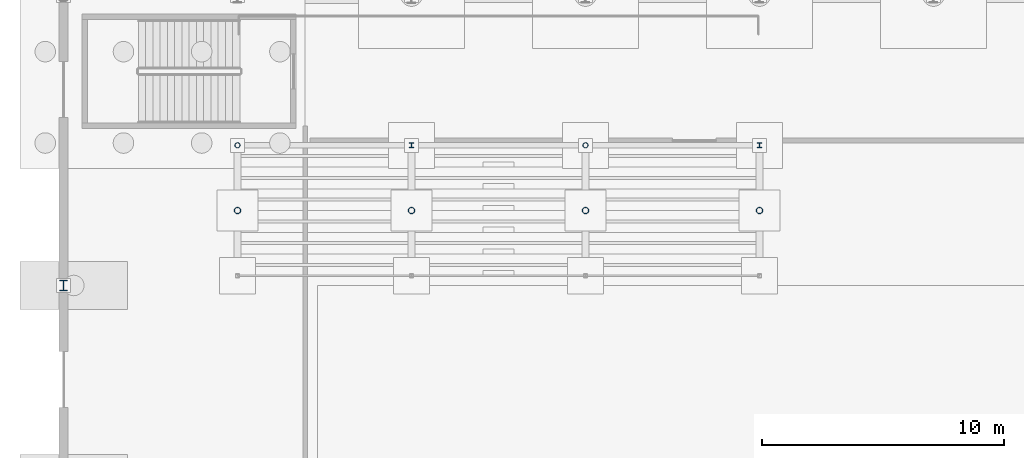
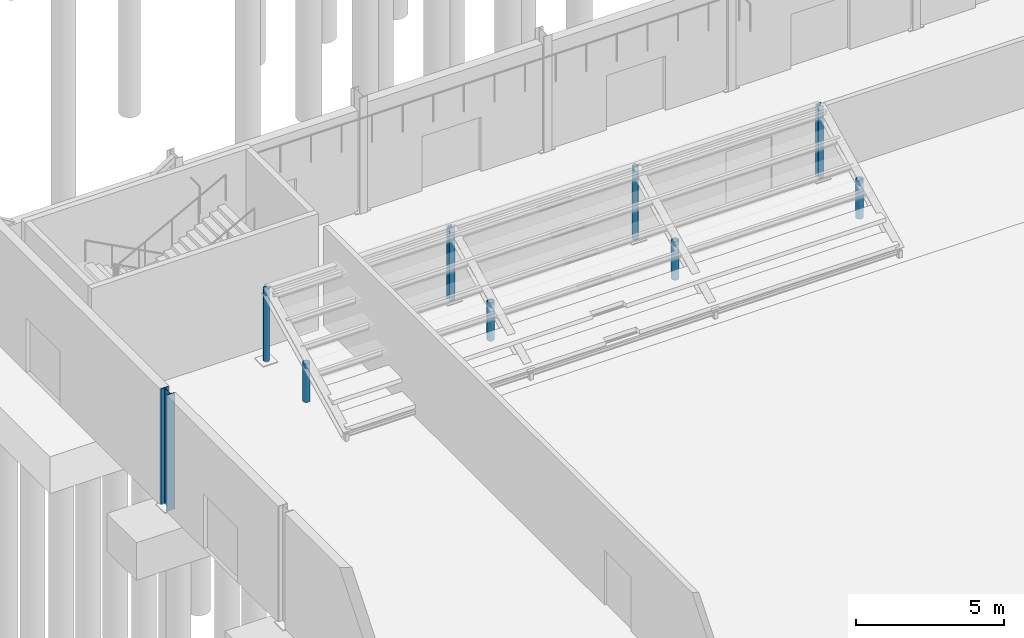
# One storey, part 8 of 101: 9 columns.
"""IFC4 building model written with IfcOpenShell, lengths in metres."""

from ifc_helpers import new_model, si_unit, derived_unit, direction, frame, origin, origin_2d, place, context, subcontext, project, spatial, hollow_circle, i_section, extrude, material, material_profile, profile_set, type_object, element, save


model = new_model("IFC4")

# Units and contexts
model_context = context("Model", 3, precision=1e-05, world=origin(), true_north=direction((0.0, 1.0)))
body_context = subcontext(model_context, "Body", "Model", "MODEL_VIEW")
ifc_project = project(units=[si_unit("LENGTHUNIT", "METRE"), si_unit("AREAUNIT", "SQUARE_METRE"), si_unit("VOLUMEUNIT", "CUBIC_METRE"), si_unit("PLANEANGLEUNIT", "RADIAN"), si_unit("MASSUNIT", "GRAM", prefix="KILO"), derived_unit("THERMALTRANSMITTANCEUNIT", [(si_unit("POWERUNIT", "WATT"), 1), (si_unit("LENGTHUNIT", "METRE"), -2), (si_unit("THERMODYNAMICTEMPERATUREUNIT", "KELVIN"), -1)])], contexts=[model_context])

# Site, building, storey
site_placement = place(None, origin())
site = spatial("IfcSite", under=ifc_project, at=site_placement, CompositionType="ELEMENT")
building_placement = place(site_placement, origin())
building = spatial("IfcBuilding", under=site, at=building_placement, Name="Keldorne Ridge Multi-Sports Centre", CompositionType="ELEMENT")
storey_placement = place(building_placement, origin())
storey = spatial("IfcBuildingStorey", under=building, at=storey_placement, Name="L00", CompositionType="ELEMENT", Elevation=0.0)

# Columns
ifc_material = material(Name="Steel S355", Category="steel")
ifc_material_profile_1 = material_profile(ifc_material, i_section(OverallWidth=0.300048828125, OverallDepth=0.449951171875, WebThickness=0.013916015625, FlangeThickness=0.02587890625, FilletRadius=0.027099609375, at=origin_2d()), Name="HEB 450")
ifc_profile_set_1 = profile_set([ifc_material_profile_1], Name="Steel S355")
column_type_1 = type_object("IfcColumnType", Name="COL-C-06", PredefinedType="COLUMN", material=ifc_profile_set_1)
column_placement = place(storey_placement, frame((6.0, 42.0, 0.0), z_axis=(0.0, 0.0, 1.0), x_axis=(1.0, 0.0, 0.0)))
element("IfcColumn", 1, at=column_placement, inside=storey, type_object=column_type_1, Name="Structural column V1-GABLE-W-04 on L00", PredefinedType="COLUMN", context=body_context, shape_type="SweptSolid", body=[
    extrude(i_section(OverallWidth=0.300048828125, OverallDepth=0.449951171875, WebThickness=0.013916015625, FlangeThickness=0.02587890625, FilletRadius=0.027099609375, at=origin_2d()), origin(), (0.0, 0.0, 1.0), 4.800048828125),
])
ifc_material_profile_2 = material_profile(ifc_material, hollow_circle(Radius=0.109619140625, WallThickness=0.012451171875, at=origin_2d()), Name="CHS 219.1x12.5")
ifc_profile_set_2 = profile_set([ifc_material_profile_2], Name="Steel S355")
column_type_2 = type_object("IfcColumnType", Name="COL-C-26", PredefinedType="COLUMN", material=ifc_profile_set_2)
for number, where, z_axis, x_axis, name in (
    (2, (13.199951171875, 47.800048828125, 0.0), (0.0, 0.0, 1.0), (1.0, 0.0, 0.0), "Structural column V1-STDCOL-NORTH-01 on L00"),
    (3, (27.60009765625, 47.800048828125, 0.0), (0.0, 0.0, 1.0), (1.0, 0.0, 0.0), "Structural column V1-STDCOL-NORTH-03 on L00"),
):
    element("IfcColumn", number, at=place(storey_placement, frame(where, z_axis=z_axis, x_axis=x_axis)), inside=storey, type_object=column_type_2, Name=name, PredefinedType="COLUMN", context=body_context, shape_type="SweptSolid", body=[
        extrude(hollow_circle(Radius=0.109619140625, WallThickness=0.012451171875, at=origin_2d()), origin(), (0.0, 0.0, 1.0), 3.02001953125),
    ])
ifc_material_profile_3 = material_profile(ifc_material, i_section(OverallWidth=0.199951171875, OverallDepth=0.199951171875, WebThickness=0.009033203125, FlangeThickness=0.014892578125, FilletRadius=0.01806640625, at=origin_2d()), Name="HEB 200")
ifc_profile_set_3 = profile_set([ifc_material_profile_3], Name="Steel S355")
column_type_3 = type_object("IfcColumnType", Name="COL-C-31", PredefinedType="COLUMN", material=ifc_profile_set_3)
for number, where, z_axis, x_axis, name in (
    (4, (20.39990234375, 47.800048828125, 0.0), (0.0, 0.0, 1.0), (1.0, 0.0, 0.0), "Structural column V1-STDCOL-NORTH-02 on L00"),
    (5, (34.800048828125, 47.800048828125, 0.0), (0.0, 0.0, 1.0), (1.0, 0.0, 0.0), "Structural column V1-STDCOL-NORTH-04 on L00"),
):
    element("IfcColumn", number, at=place(storey_placement, frame(where, z_axis=z_axis, x_axis=x_axis)), inside=storey, type_object=column_type_3, Name=name, PredefinedType="COLUMN", context=body_context, shape_type="SweptSolid", body=[
        extrude(i_section(OverallWidth=0.199951171875, OverallDepth=0.199951171875, WebThickness=0.009033203125, FlangeThickness=0.014892578125, FilletRadius=0.01806640625, at=origin_2d()), origin(), (0.0, 0.0, 1.0), 3.02001953125),
    ])
ifc_material_profile_4 = material_profile(ifc_material, hollow_circle(Radius=0.133544921875, WallThickness=0.012451171875, at=origin_2d()), Name="CHS 267x12.5")
ifc_profile_set_4 = profile_set([ifc_material_profile_4], Name="Steel S355")
column_type_4 = type_object("IfcColumnType", Name="COL-C-41", PredefinedType="COLUMN", material=ifc_profile_set_4)
for number, where, z_axis, x_axis, name in (
    (6, (13.199951171875, 45.10009765625, 0.0), (0.0, 0.0, 1.0), (1.0, 0.0, 0.0), "Structural column V1-STDMID-NORTH-01 on L00"),
    (7, (20.39990234375, 45.10009765625, 0.0), (0.0, 0.0, 1.0), (1.0, 0.0, 0.0), "Structural column V1-STDMID-NORTH-02 on L00"),
    (8, (27.60009765625, 45.10009765625, 0.0), (0.0, 0.0, 1.0), (1.0, 0.0, 0.0), "Structural column V1-STDMID-NORTH-03 on L00"),
    (9, (34.800048828125, 45.10009765625, 0.0), (0.0, 0.0, 1.0), (1.0, 0.0, 0.0), "Structural column V1-STDMID-NORTH-04 on L00"),
):
    element("IfcColumn", number, at=place(storey_placement, frame(where, z_axis=z_axis, x_axis=x_axis)), inside=storey, type_object=column_type_4, Name=name, PredefinedType="COLUMN", context=body_context, shape_type="SweptSolid", body=[
        extrude(hollow_circle(Radius=0.133544921875, WallThickness=0.012451171875, at=origin_2d()), origin(), (0.0, 0.0, 1.0), 1.580078125),
    ])

save(model, "model.ifc")
